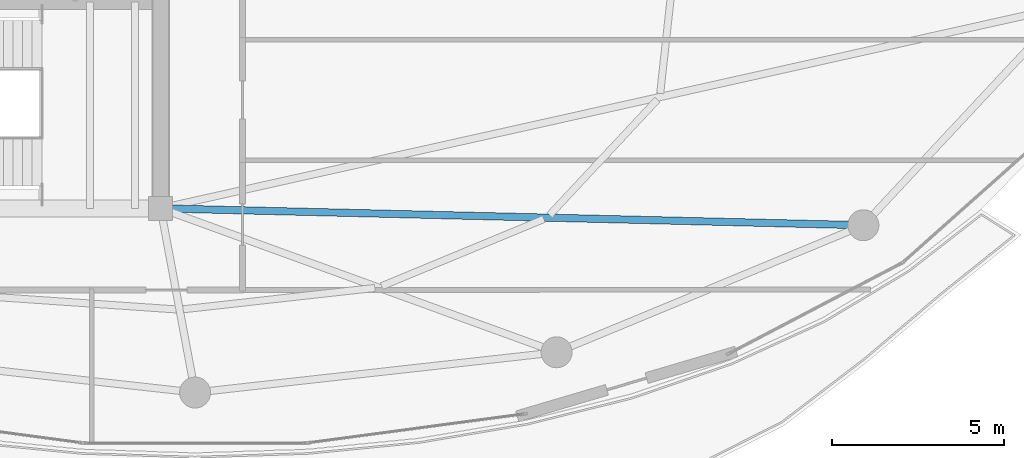
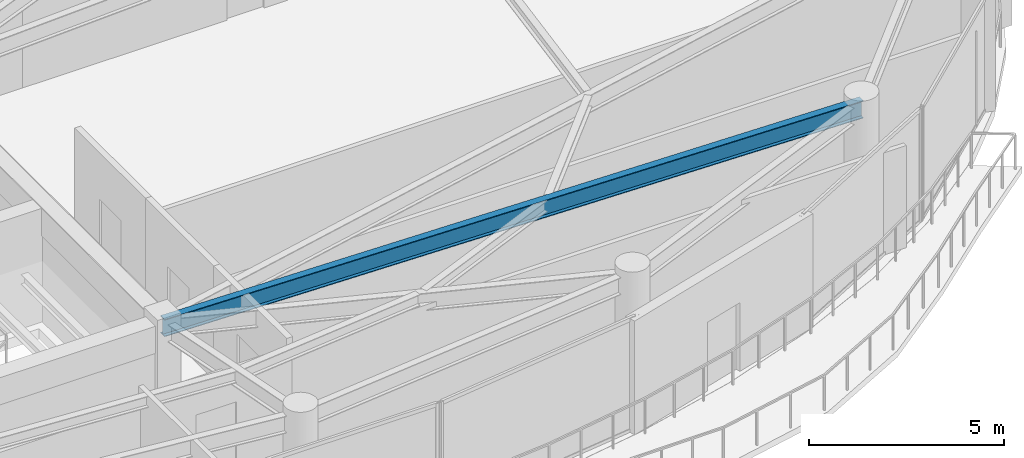
# One storey, part 12 of 29: 1 beam.
"""IFC4 building model written with IfcOpenShell, lengths in metres."""

from ifc_helpers import new_model, si_unit, direction, frame, origin, origin_2d, place, context, subcontext, project, spatial, i_section, extrude, material, material_profile, profile_set, type_object, element, save


model = new_model("IFC4")

# Units and contexts
model_context = context("Model", 3, precision=1e-05, world=origin(), true_north=direction((0.0, 1.0)))
body_context = subcontext(model_context, "Body", "Model", "MODEL_VIEW")
ifc_project = project(units=[si_unit("LENGTHUNIT", "METRE"), si_unit("AREAUNIT", "SQUARE_METRE"), si_unit("VOLUMEUNIT", "CUBIC_METRE"), si_unit("PLANEANGLEUNIT", "RADIAN"), si_unit("MASSUNIT", "GRAM", prefix="KILO")], contexts=[model_context])

# Site, building, storey
site_placement = place(None, origin())
site = spatial("IfcSite", under=ifc_project, at=site_placement, CompositionType="ELEMENT")
building_placement = place(site_placement, origin())
building = spatial("IfcBuilding", under=site, at=building_placement, Name="Kazevale Care Tower and Concert Hall", CompositionType="ELEMENT")
storey_placement = place(building_placement, frame((0.0, 0.0, 281.39990234375)))
storey = spatial("IfcBuildingStorey", under=building, at=storey_placement, Name="L74", CompositionType="ELEMENT", Elevation=281.39990234375)

# Beam
ifc_material = material(Name="Steel ASTM A572 Gr 50", Category="steel")
ifc_material_profile = material_profile(ifc_material, i_section(OverallWidth=0.2119140625, OverallDepth=0.5439453125, WebThickness=0.01318359375, FlangeThickness=0.021240234375, at=origin_2d()), Name="W530x123")
ifc_profile_set = profile_set([ifc_material_profile], Name="Steel ASTM A572 Gr 50")
beam_type = type_object("IfcBeamType", Name="Radial Floor Girder W530x123", PredefinedType="BEAM", material=ifc_profile_set)
beam_placement = place(storey_placement, frame((44.0, 23.60009765625, 3.2880859375), z_axis=(0.999711945342, -0.024000548742, 0.0), x_axis=(0.024000548742, 0.999711945342, 0.0)))
element("IfcBeam", 1, at=beam_placement, inside=storey, type_object=beam_type, Name="beam:L74:rad:15", PredefinedType="BEAM", context=body_context, shape_type="SweptSolid", body=[
    extrude(i_section(OverallWidth=0.2119140625, OverallDepth=0.5439453125, WebThickness=0.01318359375, FlangeThickness=0.021240234375, at=origin_2d()), origin(), (0.0, 0.0, 1.0), 20.415771484375),
])

save(model, "model.ifc")
